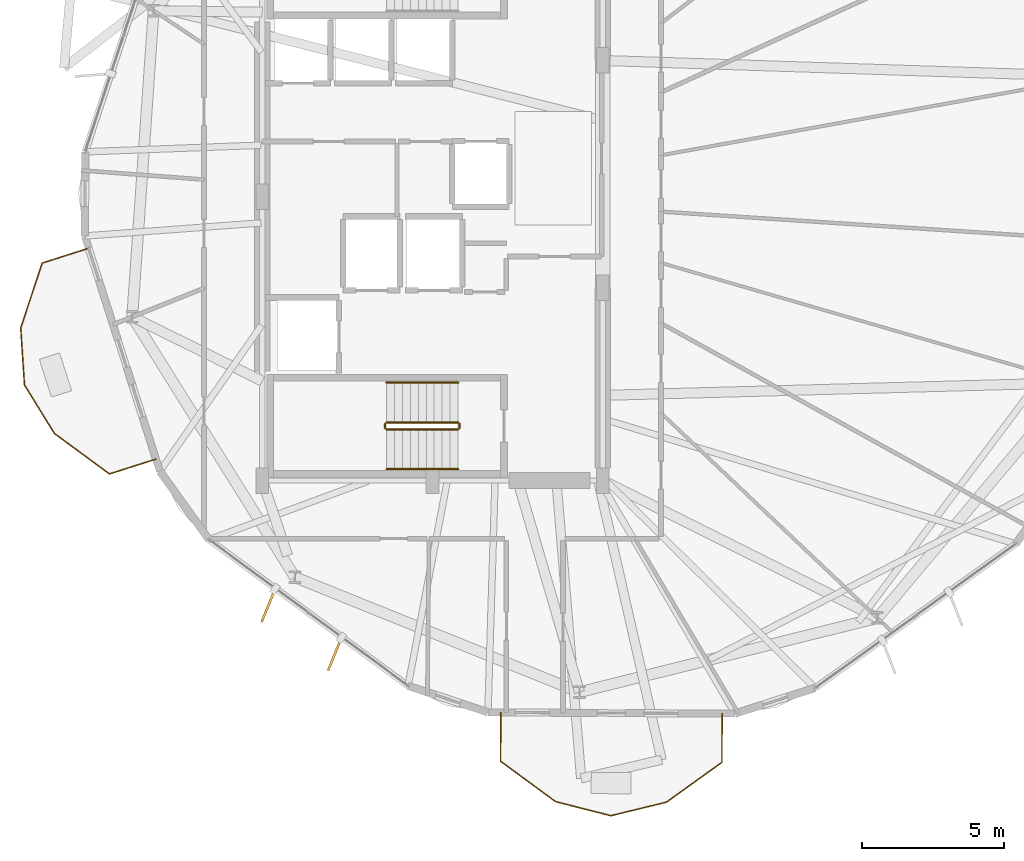
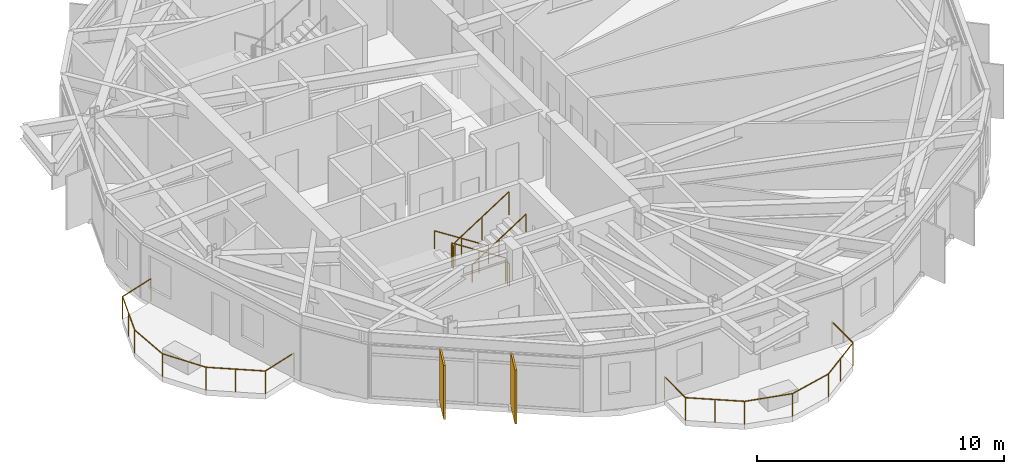
# One storey, part 21 of 24: 8 railings, 2 shading devices.
"""IFC4 building model written with IfcOpenShell, lengths in metres."""

from ifc_helpers import new_model, si_unit, direction, frame, origin, origin_2d, place, context, subcontext, project, spatial, rectangle, circle, extrude, material, layer, layer_set, type_object, element, save


model = new_model("IFC4")

# Units and contexts
model_context = context("Model", 3, precision=1e-05, world=origin(), true_north=direction((0.0, 1.0)))
body_context = subcontext(model_context, "Body", "Model", "MODEL_VIEW")
ifc_project = project(units=[si_unit("LENGTHUNIT", "METRE"), si_unit("AREAUNIT", "SQUARE_METRE"), si_unit("VOLUMEUNIT", "CUBIC_METRE"), si_unit("PLANEANGLEUNIT", "RADIAN"), si_unit("MASSUNIT", "GRAM", prefix="KILO")], contexts=[model_context])

# Site, building, storey
site_placement = place(None, origin())
site = spatial("IfcSite", under=ifc_project, at=site_placement, CompositionType="ELEMENT")
building_placement = place(site_placement, origin())
building = spatial("IfcBuilding", under=site, at=building_placement, Name="Soratama Intermodal Tower", CompositionType="ELEMENT")
storey_placement = place(building_placement, frame((0.0, 0.0, 164.199951171875)))
storey = spatial("IfcBuildingStorey", under=building, at=storey_placement, Name="L40", CompositionType="ELEMENT", Elevation=164.199951171875)

# Railings
ifc_material_1 = material(Name="Laminated glass and stainless steel balustrade", Category="steel")
railing_type_1 = type_object("IfcRailingType", Name="RL-BAL-1150", PredefinedType="BALUSTRADE", material=ifc_material_1)
railing_1_placement = place(storey_placement, frame((28.855224609375, 15.752197265625, 0.0)))
element("IfcRailing", 1, at=railing_1_placement, inside=storey, type_object=railing_type_1, Name="L40 Balcony Balustrade 2", PredefinedType="BALUSTRADE", context=body_context, shape_type="SweptSolid", body=[
    extrude(circle(Radius=0.02392578125, at=origin_2d()), frame((0.0, 0.0, 1.1259765625), z_axis=(-0.952705561198, -0.303894905621, 0.0), x_axis=(0.303894905621, -0.952705561198, 0.0)), (0.0, 0.0, 1.0), 1.719970703125),
    extrude(circle(Radius=0.02392578125, at=origin_2d()), frame((-1.638671875, -0.522705078125, 1.1259765625), z_axis=(-0.805521581914, 0.592566435997, 0.0), x_axis=(-0.592566435997, -0.805521581914, 0.0)), (0.0, 0.0, 1.0), 2.409912109375),
    extrude(circle(Radius=0.02392578125, at=origin_2d()), frame((-3.579833984375, 0.9052734375, 1.1259765625), z_axis=(-0.52483590319, 0.851203427344, 0.0), x_axis=(-0.851203427344, -0.52483590319, 0.0)), (0.0, 0.0, 1.0), 2.010009765625),
    extrude(circle(Radius=0.02392578125, at=origin_2d()), frame((-4.634765625, 2.6162109375, 1.1259765625), z_axis=(-0.065342046448, 0.997862924938, 0.0), x_axis=(-0.997862924938, -0.065342046448, 0.0)), (0.0, 0.0, 1.0), 2.01025390625),
    extrude(circle(Radius=0.02392578125, at=origin_2d()), frame((-4.76611328125, 4.6220703125, 1.1259765625), z_axis=(0.31333908397, 0.94964131042, 0.0), x_axis=(-0.94964131042, 0.31333908397, 0.0)), (0.0, 0.0, 1.0), 2.409912109375),
    extrude(circle(Radius=0.02392578125, at=origin_2d()), frame((-4.010986328125, 6.91064453125, 1.1259765625), z_axis=(0.952664459272, 0.304023729404, 0.0), x_axis=(-0.304023729404, 0.952664459272, 0.0)), (0.0, 0.0, 1.0), 1.72021484375),
    extrude(circle(Radius=0.02099609375, at=origin_2d()), origin(), (0.0, 0.0, 1.0), 1.101806640625),
    extrude(circle(Radius=0.02099609375, at=origin_2d()), frame((-1.638671875, -0.522705078125, 0.0)), (0.0, 0.0, 1.0), 1.101806640625),
    extrude(circle(Radius=0.02099609375, at=origin_2d()), frame((-2.609375, 0.19140625, 0.0)), (0.0, 0.0, 1.0), 1.101806640625),
    extrude(circle(Radius=0.02099609375, at=origin_2d()), frame((-3.579833984375, 0.9052734375, 0.0)), (0.0, 0.0, 1.0), 1.101806640625),
    extrude(circle(Radius=0.02099609375, at=origin_2d()), frame((-4.634765625, 2.6162109375, 0.0)), (0.0, 0.0, 1.0), 1.101806640625),
    extrude(circle(Radius=0.02099609375, at=origin_2d()), frame((-4.76611328125, 4.6220703125, 0.0)), (0.0, 0.0, 1.0), 1.101806640625),
    extrude(circle(Radius=0.02099609375, at=origin_2d()), frame((-4.388671875, 5.766357421875, 0.0)), (0.0, 0.0, 1.0), 1.101806640625),
    extrude(circle(Radius=0.02099609375, at=origin_2d()), frame((-4.010986328125, 6.91064453125, 0.0)), (0.0, 0.0, 1.0), 1.101806640625),
    extrude(circle(Radius=0.02099609375, at=origin_2d()), frame((-2.372314453125, 7.43359375, 0.0)), (0.0, 0.0, 1.0), 1.101806640625),
])
railing_2_placement = place(storey_placement, frame((48.805908203125, 6.787841796875, 0.0)))
element("IfcRailing", 2, at=railing_2_placement, inside=storey, type_object=railing_type_1, Name="L40 Balcony Balustrade 3", PredefinedType="BALUSTRADE", context=body_context, shape_type="SweptSolid", body=[
    extrude(circle(Radius=0.02392578125, at=origin_2d()), frame((0.0, 0.0, 1.1259765625), z_axis=(-0.005109940382, -0.999986944169, 0.0), x_axis=(0.999986944169, -0.005109940382, 0.0)), (0.0, 0.0, 1.0), 1.719970703125),
    extrude(circle(Radius=0.02392578125, at=origin_2d()), frame((-0.0087890625, -1.719970703125, 1.1259765625), z_axis=(-0.812465228873, -0.583009649896, 0.0), x_axis=(0.583009649896, -0.812465228873, 0.0)), (0.0, 0.0, 1.0), 2.409912109375),
    extrude(circle(Radius=0.02392578125, at=origin_2d()), frame((-1.966796875, -3.125, 1.1259765625), z_axis=(-0.971728631222, -0.236100544819, 0.0), x_axis=(0.236100544819, -0.971728631222, 0.0)), (0.0, 0.0, 1.0), 2.01025390625),
    extrude(circle(Radius=0.02392578125, at=origin_2d()), frame((-3.920166015625, -3.599609375, 1.1259765625), z_axis=(-0.969213746658, 0.246220862824, 0.0), x_axis=(-0.246220862824, -0.969213746658, 0.0)), (0.0, 0.0, 1.0), 2.009765625),
    extrude(circle(Radius=0.02392578125, at=origin_2d()), frame((-5.8681640625, -3.104736328125, 1.1259765625), z_axis=(-0.806324477725, 0.591473445407, 0.0), x_axis=(-0.591473445407, -0.806324477725, 0.0)), (0.0, 0.0, 1.0), 2.41015625),
    extrude(circle(Radius=0.02392578125, at=origin_2d()), frame((-7.8115234375, -1.67919921875, 1.1259765625), z_axis=(0.005251879308, 0.999986208787, 0.0), x_axis=(-0.999986208787, 0.005251879308, 0.0)), (0.0, 0.0, 1.0), 1.719970703125),
    extrude(circle(Radius=0.02099609375, at=origin_2d()), origin(), (0.0, 0.0, 1.0), 1.101806640625),
    extrude(circle(Radius=0.02099609375, at=origin_2d()), frame((-0.0087890625, -1.719970703125, 0.0)), (0.0, 0.0, 1.0), 1.101806640625),
    extrude(circle(Radius=0.02099609375, at=origin_2d()), frame((-0.98779296875, -2.42236328125, 0.0)), (0.0, 0.0, 1.0), 1.101806640625),
    extrude(circle(Radius=0.02099609375, at=origin_2d()), frame((-1.966796875, -3.125, 0.0)), (0.0, 0.0, 1.0), 1.101806640625),
    extrude(circle(Radius=0.02099609375, at=origin_2d()), frame((-3.920166015625, -3.599609375, 0.0)), (0.0, 0.0, 1.0), 1.101806640625),
    extrude(circle(Radius=0.02099609375, at=origin_2d()), frame((-5.8681640625, -3.104736328125, 0.0)), (0.0, 0.0, 1.0), 1.101806640625),
    extrude(circle(Radius=0.02099609375, at=origin_2d()), frame((-6.83984375, -2.39208984375, 0.0)), (0.0, 0.0, 1.0), 1.101806640625),
    extrude(circle(Radius=0.02099609375, at=origin_2d()), frame((-7.8115234375, -1.67919921875, 0.0)), (0.0, 0.0, 1.0), 1.101806640625),
    extrude(circle(Radius=0.02099609375, at=origin_2d()), frame((-7.802490234375, 0.040771484375, 0.0)), (0.0, 0.0, 1.0), 1.101806640625),
])
ifc_material_2 = material(Name="Painted steel stair guardrail", Category="steel")
railing_type_2 = type_object("IfcRailingType", Name="RL-STAIR-GUARD", PredefinedType="GUARDRAIL", material=ifc_material_2)
railing_3_placement = place(storey_placement, frame((39.5, 17.050048828125, 0.179931640625)))
element("IfcRailing", 3, at=railing_3_placement, inside=storey, type_object=railing_type_2, Name="L40 ST-1 stair guard 1", PredefinedType="GUARDRAIL", context=body_context, shape_type="SweptSolid", body=[
    extrude(circle(Radius=0.02392578125, at=origin_2d()), frame((0.0, 0.0, 1.1259765625), z_axis=(-0.841162588446, 0.0, 0.540782303519), x_axis=(0.0, -1.0, 0.0)), (0.0, 0.0, 1.0), 2.995849609375),
    extrude(circle(Radius=0.02099609375, at=origin_2d()), origin(), (0.0, 0.0, 1.0), 1.101806640625),
    extrude(circle(Radius=0.02099609375, at=origin_2d()), frame((-1.260009765625, 0.0, 0.81005859375)), (0.0, 0.0, 1.0), 1.101806640625),
    extrude(circle(Radius=0.02099609375, at=origin_2d()), frame((-2.52001953125, 0.0, 1.6201171875)), (0.0, 0.0, 1.0), 1.101806640625),
])
railing_4_placement = place(storey_placement, frame((36.929931640625, 17.0, 1.800048828125)))
element("IfcRailing", 4, at=railing_4_placement, inside=storey, type_object=railing_type_2, Name="L40 ST-1 stair guard 2", PredefinedType="GUARDRAIL", context=body_context, shape_type="SweptSolid", body=[
    extrude(circle(Radius=0.02392578125, at=origin_2d()), frame((0.0, 0.0, 1.1259765625), z_axis=(0.0, -1.0, 0.0), x_axis=(1.0, 0.0, 0.0)), (0.0, 0.0, 1.0), 0.14990234375),
    extrude(circle(Radius=0.02099609375, at=origin_2d()), origin(), (0.0, 0.0, 1.0), 1.101806640625),
    extrude(circle(Radius=0.02099609375, at=origin_2d()), frame((0.0, -0.14990234375, 0.0)), (0.0, 0.0, 1.0), 1.101806640625),
])
railing_5_placement = place(storey_placement, frame((36.97998046875, 16.800048828125, 1.97998046875)))
element("IfcRailing", 5, at=railing_5_placement, inside=storey, type_object=railing_type_2, Name="L40 ST-1 stair guard 3", PredefinedType="GUARDRAIL", context=body_context, shape_type="SweptSolid", body=[
    extrude(circle(Radius=0.02392578125, at=origin_2d()), frame((0.0, 0.0, 1.1259765625), z_axis=(0.841162588446, 0.0, 0.540782303519), x_axis=(0.0, 1.0, 0.0)), (0.0, 0.0, 1.0), 2.995849609375),
    extrude(circle(Radius=0.02099609375, at=origin_2d()), origin(), (0.0, 0.0, 1.0), 1.101806640625),
    extrude(circle(Radius=0.02099609375, at=origin_2d()), frame((1.260009765625, 0.0, 0.81005859375)), (0.0, 0.0, 1.0), 1.101806640625),
    extrude(circle(Radius=0.02099609375, at=origin_2d()), frame((2.52001953125, 0.0, 1.6201171875)), (0.0, 0.0, 1.0), 1.101806640625),
])
railing_6_placement = place(storey_placement, frame((39.550048828125, 17.0, 0.0)))
element("IfcRailing", 6, at=railing_6_placement, inside=storey, type_object=railing_type_2, Name="L40 ST-1 stair guard 4", PredefinedType="GUARDRAIL", context=body_context, shape_type="SweptSolid", body=[
    extrude(circle(Radius=0.02392578125, at=origin_2d()), frame((0.0, 0.0, 1.1259765625), z_axis=(0.0, -1.0, 0.0), x_axis=(1.0, 0.0, 0.0)), (0.0, 0.0, 1.0), 0.14990234375),
    extrude(circle(Radius=0.02099609375, at=origin_2d()), origin(), (0.0, 0.0, 1.0), 1.101806640625),
    extrude(circle(Radius=0.02099609375, at=origin_2d()), frame((0.0, -0.14990234375, 0.0)), (0.0, 0.0, 1.0), 1.101806640625),
])
ifc_material_3 = material(Name="Brushed stainless steel handrail", Category="steel")
railing_type_3 = type_object("IfcRailingType", Name="RL-STAIR-HAND", PredefinedType="HANDRAIL", material=ifc_material_3)
railing_7_placement = place(storey_placement, frame((39.5, 18.449951171875, 0.179931640625)))
element("IfcRailing", 7, at=railing_7_placement, inside=storey, type_object=railing_type_3, Name="L40 ST-1 stair handrail 1", PredefinedType="HANDRAIL", context=body_context, shape_type="SweptSolid", body=[
    extrude(circle(Radius=0.02392578125, at=origin_2d()), frame((0.0, 0.0, 0.8759765625), z_axis=(-0.841162588446, 0.0, 0.540782303519), x_axis=(0.0, -1.0, 0.0)), (0.0, 0.0, 1.0), 2.995849609375),
    extrude(circle(Radius=0.02099609375, at=origin_2d()), origin(), (0.0, 0.0, 1.0), 0.851806640625),
    extrude(circle(Radius=0.02099609375, at=origin_2d()), frame((-1.260009765625, 0.0, 0.81005859375)), (0.0, 0.0, 1.0), 0.851806640625),
    extrude(circle(Radius=0.02099609375, at=origin_2d()), frame((-2.52001953125, 0.0, 1.6201171875)), (0.0, 0.0, 1.0), 0.851806640625),
])
railing_8_placement = place(storey_placement, frame((36.97998046875, 15.39990234375, 1.97998046875)))
element("IfcRailing", 8, at=railing_8_placement, inside=storey, type_object=railing_type_3, Name="L40 ST-1 stair handrail 2", PredefinedType="HANDRAIL", context=body_context, shape_type="SweptSolid", body=[
    extrude(circle(Radius=0.02392578125, at=origin_2d()), frame((0.0, 0.0, 0.8759765625), z_axis=(0.841162588446, 0.0, 0.540782303519), x_axis=(0.0, 1.0, 0.0)), (0.0, 0.0, 1.0), 2.995849609375),
    extrude(circle(Radius=0.02099609375, at=origin_2d()), origin(), (0.0, 0.0, 1.0), 0.851806640625),
    extrude(circle(Radius=0.02099609375, at=origin_2d()), frame((1.260009765625, 0.0, 0.81005859375)), (0.0, 0.0, 1.0), 0.851806640625),
    extrude(circle(Radius=0.02099609375, at=origin_2d()), frame((2.52001953125, 0.0, 1.6201171875)), (0.0, 0.0, 1.0), 0.851806640625),
])

# Shading devices
ifc_material_4 = material(Name="Champagne anodised aluminium solar fin", Category="aluminium")
ifc_layer = layer(ifc_material_4, 0.080078125)
ifc_layer_set = layer_set([ifc_layer], Name="Champagne anodised aluminium solar fin")
shading_device_type = type_object("IfcShadingDeviceType", Name="SH-FIN-1250", PredefinedType="USERDEFINED", material=ifc_layer_set)
for number, where, z_axis, x_axis, name in (
    (9, (32.8173828125, 10.599853515625, 0.02001953125), (0.0, 0.0, 1.0), (-0.377679186163, -0.925936516366, 0.0), "L40 Solar Fin F06-1"),
    (10, (35.155517578125, 8.882568359375, 0.02001953125), (0.0, 0.0, 1.0), (-0.377679186163, -0.925936516366, 0.0), "L40 Solar Fin F06-2"),
):
    element("IfcShadingDevice", number, at=place(storey_placement, frame(where, z_axis=z_axis, x_axis=x_axis)), inside=storey, type_object=shading_device_type, Name=name, ObjectType="FIN", PredefinedType="USERDEFINED", context=body_context, shape_type="SweptSolid", body=[
        extrude(rectangle(XDim=1.25, YDim=0.080078125, at=origin_2d()), origin(), (0.0, 0.0, 1.0), 2.658935546875),
    ])

save(model, "model.ifc")
